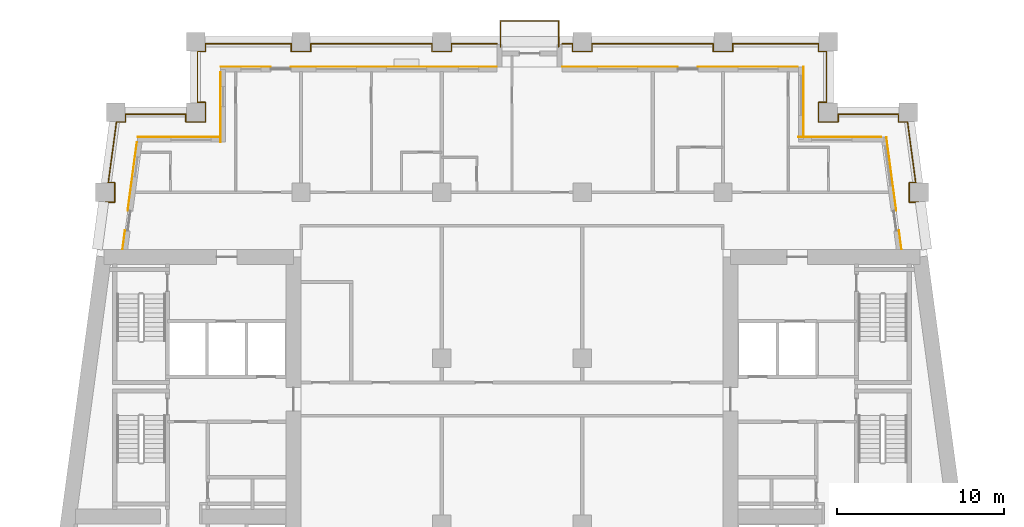
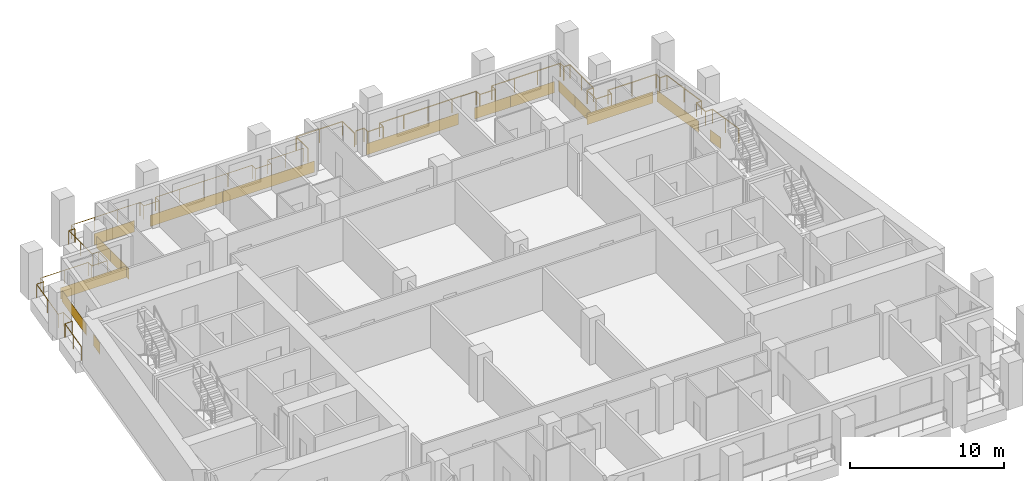
# One storey, part 11 of 12: 16 coverings, 3 railings.
"""IFC4 building model written with IfcOpenShell, lengths in metres."""

from ifc_helpers import new_model, si_unit, direction, frame, origin, origin_2d, place, context, subcontext, project, spatial, rectangle, circle, extrude, material, layer, layer_set, type_object, element, save


model = new_model("IFC4")

# Units and contexts
model_context = context("Model", 3, precision=1e-05, world=origin(), true_north=direction((0.0, 1.0)))
body_context = subcontext(model_context, "Body", "Model", "MODEL_VIEW")
ifc_project = project(units=[si_unit("LENGTHUNIT", "METRE"), si_unit("AREAUNIT", "SQUARE_METRE"), si_unit("VOLUMEUNIT", "CUBIC_METRE"), si_unit("PLANEANGLEUNIT", "RADIAN"), si_unit("MASSUNIT", "GRAM", prefix="KILO")], contexts=[model_context])

# Site, building, storey
site_placement = place(None, origin())
site = spatial("IfcSite", under=ifc_project, at=site_placement, CompositionType="ELEMENT")
building_placement = place(site_placement, origin())
building = spatial("IfcBuilding", under=site, at=building_placement, Name="Candeia Pilgrim Tower and Theatre", CompositionType="ELEMENT")
storey_placement = place(building_placement, frame((0.0, 0.0, 166.300048828125)))
storey = spatial("IfcBuildingStorey", under=building, at=storey_placement, Name="L39", CompositionType="ELEMENT", Elevation=166.300048828125)

# Railings
ifc_material_1 = material(Name="Stainless steel balustrade", Category="steel")
railing_type = type_object("IfcRailingType", Name="G1 loggia guard 1100", PredefinedType="GUARDRAIL", material=ifc_material_1)
railing_1_placement = place(storey_placement, frame((88.758544921875, 132.449951171875, 0.0)))
element("IfcRailing", 1, at=railing_1_placement, inside=storey, type_object=railing_type, Name="Guard L39.2", PredefinedType="GUARDRAIL", context=body_context, shape_type="SweptSolid", body=[
    extrude(circle(Radius=0.02392578125, at=origin_2d()), frame((0.0, 0.0, 1.076171875), z_axis=(0.133382313969, 0.991064659001, 0.0), x_axis=(-0.991064659001, 0.133382313969, 0.0)), (0.0, 0.0, 1.0), 2.794921875),
    extrude(circle(Radius=0.02392578125, at=origin_2d()), frame((0.372802734375, 2.77001953125, 1.076171875), z_axis=(1.0, 0.0, 0.0), x_axis=(0.0, 1.0, 0.0)), (0.0, 0.0, 1.0), 0.537109375),
    extrude(circle(Radius=0.02392578125, at=origin_2d()), frame((0.909912109375, 2.77001953125, 1.076171875), z_axis=(0.0, 1.0, 0.0), x_axis=(-1.0, 0.0, 0.0)), (0.0, 0.0, 1.0), 1.159912109375),
    extrude(circle(Radius=0.02392578125, at=origin_2d()), frame((0.909912109375, 3.929931640625, 1.076171875), z_axis=(-1.0, 0.0, 0.0), x_axis=(0.0, -1.0, 0.0)), (0.0, 0.0, 1.0), 0.380859375),
    extrude(circle(Radius=0.02392578125, at=origin_2d()), frame((0.529052734375, 3.929931640625, 1.076171875), z_axis=(0.133404479078, 0.99106167566, 0.0), x_axis=(-0.99106167566, 0.133404479078, 0.0)), (0.0, 0.0, 1.0), 3.6728515625),
    extrude(circle(Radius=0.02392578125, at=origin_2d()), frame((1.01904296875, 7.570068359375, 1.076171875), z_axis=(1.0, 0.0, 0.0), x_axis=(0.0, 1.0, 0.0)), (0.0, 0.0, 1.0), 0.537109375),
    extrude(circle(Radius=0.02392578125, at=origin_2d()), frame((1.55615234375, 7.570068359375, 1.076171875), z_axis=(0.0, 1.0, 0.0), x_axis=(-1.0, 0.0, 0.0)), (0.0, 0.0, 1.0), 0.4599609375),
    extrude(circle(Radius=0.02392578125, at=origin_2d()), frame((1.55615234375, 8.030029296875, 1.076171875), z_axis=(1.0, 0.0, 0.0), x_axis=(0.0, 1.0, 0.0)), (0.0, 0.0, 1.0), 3.605224609375),
    extrude(circle(Radius=0.02392578125, at=origin_2d()), frame((5.161376953125, 8.030029296875, 1.076171875), z_axis=(0.0, -1.0, 0.0), x_axis=(1.0, 0.0, 0.0)), (0.0, 0.0, 1.0), 0.4599609375),
    extrude(circle(Radius=0.02392578125, at=origin_2d()), frame((5.161376953125, 7.570068359375, 1.076171875), z_axis=(1.0, 0.0, 0.0), x_axis=(0.0, 1.0, 0.0)), (0.0, 0.0, 1.0), 1.16015625),
    extrude(circle(Radius=0.02392578125, at=origin_2d()), frame((6.321533203125, 7.570068359375, 1.076171875), z_axis=(0.0, 1.0, 0.0), x_axis=(-1.0, 0.0, 0.0)), (0.0, 0.0, 1.0), 1.159912109375),
    extrude(circle(Radius=0.02392578125, at=origin_2d()), frame((6.321533203125, 8.72998046875, 1.076171875), z_axis=(-1.0, 0.0, 0.0), x_axis=(0.0, -1.0, 0.0)), (0.0, 0.0, 1.0), 0.4599609375),
    extrude(circle(Radius=0.02392578125, at=origin_2d()), frame((5.861572265625, 8.72998046875, 1.076171875), z_axis=(0.0, 1.0, 0.0), x_axis=(-1.0, 0.0, 0.0)), (0.0, 0.0, 1.0), 3.0400390625),
    extrude(circle(Radius=0.02392578125, at=origin_2d()), frame((5.861572265625, 11.77001953125, 1.076171875), z_axis=(1.0, 0.0, 0.0), x_axis=(0.0, 1.0, 0.0)), (0.0, 0.0, 1.0), 0.4599609375),
    extrude(circle(Radius=0.02392578125, at=origin_2d()), frame((6.321533203125, 11.77001953125, 1.076171875), z_axis=(0.0, 1.0, 0.0), x_axis=(-1.0, 0.0, 0.0)), (0.0, 0.0, 1.0), 0.4599609375),
    extrude(circle(Radius=0.02392578125, at=origin_2d()), frame((6.321533203125, 12.22998046875, 1.076171875), z_axis=(1.0, 0.0, 0.0), x_axis=(0.0, 1.0, 0.0)), (0.0, 0.0, 1.0), 5.139892578125),
    extrude(circle(Radius=0.02392578125, at=origin_2d()), frame((11.46142578125, 12.22998046875, 1.076171875), z_axis=(0.0, -1.0, 0.0), x_axis=(1.0, 0.0, 0.0)), (0.0, 0.0, 1.0), 0.4599609375),
    extrude(circle(Radius=0.02392578125, at=origin_2d()), frame((11.46142578125, 11.77001953125, 1.076171875), z_axis=(1.0, 0.0, 0.0), x_axis=(0.0, 1.0, 0.0)), (0.0, 0.0, 1.0), 1.159912109375),
    extrude(circle(Radius=0.02392578125, at=origin_2d()), frame((12.621337890625, 11.77001953125, 1.076171875), z_axis=(0.0, 1.0, 0.0), x_axis=(-1.0, 0.0, 0.0)), (0.0, 0.0, 1.0), 0.4599609375),
    extrude(circle(Radius=0.02392578125, at=origin_2d()), frame((12.621337890625, 12.22998046875, 1.076171875), z_axis=(1.0, 0.0, 0.0), x_axis=(0.0, 1.0, 0.0)), (0.0, 0.0, 1.0), 7.240234375),
    extrude(circle(Radius=0.02392578125, at=origin_2d()), frame((19.861572265625, 12.22998046875, 1.076171875), z_axis=(0.0, -1.0, 0.0), x_axis=(1.0, 0.0, 0.0)), (0.0, 0.0, 1.0), 0.4599609375),
    extrude(circle(Radius=0.02392578125, at=origin_2d()), frame((19.861572265625, 11.77001953125, 1.076171875), z_axis=(1.0, 0.0, 0.0), x_axis=(0.0, 1.0, 0.0)), (0.0, 0.0, 1.0), 1.159912109375),
    extrude(circle(Radius=0.02392578125, at=origin_2d()), frame((21.021484375, 11.77001953125, 1.076171875), z_axis=(0.0, 1.0, 0.0), x_axis=(-1.0, 0.0, 0.0)), (0.0, 0.0, 1.0), 0.4599609375),
    extrude(circle(Radius=0.02392578125, at=origin_2d()), frame((21.021484375, 12.22998046875, 1.076171875), z_axis=(1.0, 0.0, 0.0), x_axis=(0.0, 1.0, 0.0)), (0.0, 0.0, 1.0), 2.719970703125),
    extrude(circle(Radius=0.02099609375, at=origin_2d()), origin(), (0.0, 0.0, 1.0), 1.052001953125),
    extrude(circle(Radius=0.02099609375, at=origin_2d()), frame((0.1865234375, 1.385009765625, 0.0)), (0.0, 0.0, 1.0), 1.052001953125),
    extrude(circle(Radius=0.02099609375, at=origin_2d()), frame((0.372802734375, 2.77001953125, 0.0)), (0.0, 0.0, 1.0), 1.052001953125),
    extrude(circle(Radius=0.02099609375, at=origin_2d()), frame((0.909912109375, 2.77001953125, 0.0)), (0.0, 0.0, 1.0), 1.052001953125),
    extrude(circle(Radius=0.02099609375, at=origin_2d()), frame((0.909912109375, 3.929931640625, 0.0)), (0.0, 0.0, 1.0), 1.052001953125),
    extrude(circle(Radius=0.02099609375, at=origin_2d()), frame((0.529052734375, 3.929931640625, 0.0)), (0.0, 0.0, 1.0), 1.052001953125),
    extrude(circle(Radius=0.02099609375, at=origin_2d()), frame((0.77392578125, 5.75, 0.0)), (0.0, 0.0, 1.0), 1.052001953125),
    extrude(circle(Radius=0.02099609375, at=origin_2d()), frame((1.01904296875, 7.570068359375, 0.0)), (0.0, 0.0, 1.0), 1.052001953125),
    extrude(circle(Radius=0.02099609375, at=origin_2d()), frame((1.55615234375, 7.570068359375, 0.0)), (0.0, 0.0, 1.0), 1.052001953125),
    extrude(circle(Radius=0.02099609375, at=origin_2d()), frame((1.55615234375, 8.030029296875, 0.0)), (0.0, 0.0, 1.0), 1.052001953125),
    extrude(circle(Radius=0.02099609375, at=origin_2d()), frame((3.35888671875, 8.030029296875, 0.0)), (0.0, 0.0, 1.0), 1.052001953125),
    extrude(circle(Radius=0.02099609375, at=origin_2d()), frame((5.161376953125, 8.030029296875, 0.0)), (0.0, 0.0, 1.0), 1.052001953125),
    extrude(circle(Radius=0.02099609375, at=origin_2d()), frame((5.161376953125, 7.570068359375, 0.0)), (0.0, 0.0, 1.0), 1.052001953125),
    extrude(circle(Radius=0.02099609375, at=origin_2d()), frame((6.321533203125, 7.570068359375, 0.0)), (0.0, 0.0, 1.0), 1.052001953125),
    extrude(circle(Radius=0.02099609375, at=origin_2d()), frame((6.321533203125, 8.72998046875, 0.0)), (0.0, 0.0, 1.0), 1.052001953125),
    extrude(circle(Radius=0.02099609375, at=origin_2d()), frame((5.861572265625, 8.72998046875, 0.0)), (0.0, 0.0, 1.0), 1.052001953125),
    extrude(circle(Radius=0.02099609375, at=origin_2d()), frame((5.861572265625, 10.25, 0.0)), (0.0, 0.0, 1.0), 1.052001953125),
    extrude(circle(Radius=0.02099609375, at=origin_2d()), frame((5.861572265625, 11.77001953125, 0.0)), (0.0, 0.0, 1.0), 1.052001953125),
    extrude(circle(Radius=0.02099609375, at=origin_2d()), frame((6.321533203125, 11.77001953125, 0.0)), (0.0, 0.0, 1.0), 1.052001953125),
    extrude(circle(Radius=0.02099609375, at=origin_2d()), frame((6.321533203125, 12.22998046875, 0.0)), (0.0, 0.0, 1.0), 1.052001953125),
    extrude(circle(Radius=0.02099609375, at=origin_2d()), frame((8.034912109375, 12.22998046875, 0.0)), (0.0, 0.0, 1.0), 1.052001953125),
    extrude(circle(Radius=0.02099609375, at=origin_2d()), frame((9.748046875, 12.22998046875, 0.0)), (0.0, 0.0, 1.0), 1.052001953125),
    extrude(circle(Radius=0.02099609375, at=origin_2d()), frame((11.46142578125, 12.22998046875, 0.0)), (0.0, 0.0, 1.0), 1.052001953125),
    extrude(circle(Radius=0.02099609375, at=origin_2d()), frame((11.46142578125, 11.77001953125, 0.0)), (0.0, 0.0, 1.0), 1.052001953125),
    extrude(circle(Radius=0.02099609375, at=origin_2d()), frame((12.621337890625, 11.77001953125, 0.0)), (0.0, 0.0, 1.0), 1.052001953125),
    extrude(circle(Radius=0.02099609375, at=origin_2d()), frame((12.621337890625, 12.22998046875, 0.0)), (0.0, 0.0, 1.0), 1.052001953125),
    extrude(circle(Radius=0.02099609375, at=origin_2d()), frame((14.431396484375, 12.22998046875, 0.0)), (0.0, 0.0, 1.0), 1.052001953125),
    extrude(circle(Radius=0.02099609375, at=origin_2d()), frame((16.241455078125, 12.22998046875, 0.0)), (0.0, 0.0, 1.0), 1.052001953125),
    extrude(circle(Radius=0.02099609375, at=origin_2d()), frame((18.051513671875, 12.22998046875, 0.0)), (0.0, 0.0, 1.0), 1.052001953125),
    extrude(circle(Radius=0.02099609375, at=origin_2d()), frame((19.861572265625, 12.22998046875, 0.0)), (0.0, 0.0, 1.0), 1.052001953125),
    extrude(circle(Radius=0.02099609375, at=origin_2d()), frame((19.861572265625, 11.77001953125, 0.0)), (0.0, 0.0, 1.0), 1.052001953125),
    extrude(circle(Radius=0.02099609375, at=origin_2d()), frame((21.021484375, 11.77001953125, 0.0)), (0.0, 0.0, 1.0), 1.052001953125),
    extrude(circle(Radius=0.02099609375, at=origin_2d()), frame((21.021484375, 12.22998046875, 0.0)), (0.0, 0.0, 1.0), 1.052001953125),
    extrude(circle(Radius=0.02099609375, at=origin_2d()), frame((22.38134765625, 12.22998046875, 0.0)), (0.0, 0.0, 1.0), 1.052001953125),
    extrude(circle(Radius=0.02099609375, at=origin_2d()), frame((23.741455078125, 12.22998046875, 0.0)), (0.0, 0.0, 1.0), 1.052001953125),
])
railing_2_placement = place(storey_placement, frame((116.39990234375, 144.679931640625, 0.0)))
element("IfcRailing", 2, at=railing_2_placement, inside=storey, type_object=railing_type, Name="Guard L39.3", PredefinedType="GUARDRAIL", context=body_context, shape_type="SweptSolid", body=[
    extrude(circle(Radius=0.02392578125, at=origin_2d()), frame((0.0, 0.0, 1.076171875), z_axis=(1.0, 0.0, 0.0), x_axis=(0.0, 1.0, 0.0)), (0.0, 0.0, 1.0), 0.6201171875),
    extrude(circle(Radius=0.02392578125, at=origin_2d()), frame((0.6201171875, 0.0, 1.076171875), z_axis=(0.0, -1.0, 0.0), x_axis=(1.0, 0.0, 0.0)), (0.0, 0.0, 1.0), 0.4599609375),
    extrude(circle(Radius=0.02392578125, at=origin_2d()), frame((0.6201171875, -0.4599609375, 1.076171875), z_axis=(1.0, 0.0, 0.0), x_axis=(0.0, 1.0, 0.0)), (0.0, 0.0, 1.0), 1.159912109375),
    extrude(circle(Radius=0.02392578125, at=origin_2d()), frame((1.780029296875, -0.4599609375, 1.076171875), z_axis=(0.0, 1.0, 0.0), x_axis=(-1.0, 0.0, 0.0)), (0.0, 0.0, 1.0), 0.4599609375),
    extrude(circle(Radius=0.02392578125, at=origin_2d()), frame((1.780029296875, 0.0, 1.076171875), z_axis=(1.0, 0.0, 0.0), x_axis=(0.0, 1.0, 0.0)), (0.0, 0.0, 1.0), 7.239990234375),
    extrude(circle(Radius=0.02392578125, at=origin_2d()), frame((9.02001953125, 0.0, 1.076171875), z_axis=(0.0, -1.0, 0.0), x_axis=(1.0, 0.0, 0.0)), (0.0, 0.0, 1.0), 0.4599609375),
    extrude(circle(Radius=0.02392578125, at=origin_2d()), frame((9.02001953125, -0.4599609375, 1.076171875), z_axis=(1.0, 0.0, 0.0), x_axis=(0.0, 1.0, 0.0)), (0.0, 0.0, 1.0), 1.16015625),
    extrude(circle(Radius=0.02392578125, at=origin_2d()), frame((10.18017578125, -0.4599609375, 1.076171875), z_axis=(0.0, 1.0, 0.0), x_axis=(-1.0, 0.0, 0.0)), (0.0, 0.0, 1.0), 0.4599609375),
    extrude(circle(Radius=0.02392578125, at=origin_2d()), frame((10.18017578125, 0.0, 1.076171875), z_axis=(1.0, 0.0, 0.0), x_axis=(0.0, 1.0, 0.0)), (0.0, 0.0, 1.0), 5.139892578125),
    extrude(circle(Radius=0.02392578125, at=origin_2d()), frame((15.320068359375, 0.0, 1.076171875), z_axis=(0.0, -1.0, 0.0), x_axis=(1.0, 0.0, 0.0)), (0.0, 0.0, 1.0), 0.4599609375),
    extrude(circle(Radius=0.02392578125, at=origin_2d()), frame((15.320068359375, -0.4599609375, 1.076171875), z_axis=(1.0, 0.0, 0.0), x_axis=(0.0, 1.0, 0.0)), (0.0, 0.0, 1.0), 0.4599609375),
    extrude(circle(Radius=0.02392578125, at=origin_2d()), frame((15.780029296875, -0.4599609375, 1.076171875), z_axis=(0.0, -1.0, 0.0), x_axis=(1.0, 0.0, 0.0)), (0.0, 0.0, 1.0), 3.0400390625),
    extrude(circle(Radius=0.02392578125, at=origin_2d()), frame((15.780029296875, -3.5, 1.076171875), z_axis=(-1.0, 0.0, 0.0), x_axis=(0.0, -1.0, 0.0)), (0.0, 0.0, 1.0), 0.4599609375),
    extrude(circle(Radius=0.02392578125, at=origin_2d()), frame((15.320068359375, -3.5, 1.076171875), z_axis=(0.0, -1.0, 0.0), x_axis=(1.0, 0.0, 0.0)), (0.0, 0.0, 1.0), 1.159912109375),
    extrude(circle(Radius=0.02392578125, at=origin_2d()), frame((15.320068359375, -4.659912109375, 1.076171875), z_axis=(1.0, 0.0, 0.0), x_axis=(0.0, 1.0, 0.0)), (0.0, 0.0, 1.0), 1.159912109375),
    extrude(circle(Radius=0.02392578125, at=origin_2d()), frame((16.47998046875, -4.659912109375, 1.076171875), z_axis=(0.0, 1.0, 0.0), x_axis=(-1.0, 0.0, 0.0)), (0.0, 0.0, 1.0), 0.4599609375),
    extrude(circle(Radius=0.02392578125, at=origin_2d()), frame((16.47998046875, -4.199951171875, 1.076171875), z_axis=(1.0, 0.0, 0.0), x_axis=(0.0, 1.0, 0.0)), (0.0, 0.0, 1.0), 3.60546875),
    extrude(circle(Radius=0.02392578125, at=origin_2d()), frame((20.08544921875, -4.199951171875, 1.076171875), z_axis=(0.0, -1.0, 0.0), x_axis=(1.0, 0.0, 0.0)), (0.0, 0.0, 1.0), 0.4599609375),
    extrude(circle(Radius=0.02392578125, at=origin_2d()), frame((20.08544921875, -4.659912109375, 1.076171875), z_axis=(1.0, 0.0, 0.0), x_axis=(0.0, 1.0, 0.0)), (0.0, 0.0, 1.0), 0.537109375),
    extrude(circle(Radius=0.02392578125, at=origin_2d()), frame((20.62255859375, -4.659912109375, 1.076171875), z_axis=(0.133404479078, -0.99106167566, 0.0), x_axis=(0.99106167566, 0.133404479078, 0.0)), (0.0, 0.0, 1.0), 3.6728515625),
    extrude(circle(Radius=0.02392578125, at=origin_2d()), frame((21.112548828125, -8.300048828125, 1.076171875), z_axis=(-1.0, 0.0, 0.0), x_axis=(0.0, -1.0, 0.0)), (0.0, 0.0, 1.0), 0.380859375),
    extrude(circle(Radius=0.02392578125, at=origin_2d()), frame((20.731689453125, -8.300048828125, 1.076171875), z_axis=(0.0, -1.0, 0.0), x_axis=(1.0, 0.0, 0.0)), (0.0, 0.0, 1.0), 1.159912109375),
    extrude(circle(Radius=0.02392578125, at=origin_2d()), frame((20.731689453125, -9.4599609375, 1.076171875), z_axis=(1.0, 0.0, 0.0), x_axis=(0.0, 1.0, 0.0)), (0.0, 0.0, 1.0), 0.536865234375),
    extrude(circle(Radius=0.02392578125, at=origin_2d()), frame((21.2685546875, -9.4599609375, 1.076171875), z_axis=(0.133468107709, -0.99105310868, 0.0), x_axis=(0.99105310868, 0.133468107709, 0.0)), (0.0, 0.0, 1.0), 2.794921875),
    extrude(circle(Radius=0.02099609375, at=origin_2d()), origin(), (0.0, 0.0, 1.0), 1.052001953125),
    extrude(circle(Radius=0.02099609375, at=origin_2d()), frame((0.6201171875, 0.0, 0.0)), (0.0, 0.0, 1.0), 1.052001953125),
    extrude(circle(Radius=0.02099609375, at=origin_2d()), frame((0.6201171875, -0.4599609375, 0.0)), (0.0, 0.0, 1.0), 1.052001953125),
    extrude(circle(Radius=0.02099609375, at=origin_2d()), frame((1.780029296875, -0.4599609375, 0.0)), (0.0, 0.0, 1.0), 1.052001953125),
    extrude(circle(Radius=0.02099609375, at=origin_2d()), frame((1.780029296875, 0.0, 0.0)), (0.0, 0.0, 1.0), 1.052001953125),
    extrude(circle(Radius=0.02099609375, at=origin_2d()), frame((3.590087890625, 0.0, 0.0)), (0.0, 0.0, 1.0), 1.052001953125),
    extrude(circle(Radius=0.02099609375, at=origin_2d()), frame((5.39990234375, 0.0, 0.0)), (0.0, 0.0, 1.0), 1.052001953125),
    extrude(circle(Radius=0.02099609375, at=origin_2d()), frame((7.2099609375, 0.0, 0.0)), (0.0, 0.0, 1.0), 1.052001953125),
    extrude(circle(Radius=0.02099609375, at=origin_2d()), frame((9.02001953125, 0.0, 0.0)), (0.0, 0.0, 1.0), 1.052001953125),
    extrude(circle(Radius=0.02099609375, at=origin_2d()), frame((9.02001953125, -0.4599609375, 0.0)), (0.0, 0.0, 1.0), 1.052001953125),
    extrude(circle(Radius=0.02099609375, at=origin_2d()), frame((10.18017578125, -0.4599609375, 0.0)), (0.0, 0.0, 1.0), 1.052001953125),
    extrude(circle(Radius=0.02099609375, at=origin_2d()), frame((10.18017578125, 0.0, 0.0)), (0.0, 0.0, 1.0), 1.052001953125),
    extrude(circle(Radius=0.02099609375, at=origin_2d()), frame((11.8935546875, 0.0, 0.0)), (0.0, 0.0, 1.0), 1.052001953125),
    extrude(circle(Radius=0.02099609375, at=origin_2d()), frame((13.606689453125, 0.0, 0.0)), (0.0, 0.0, 1.0), 1.052001953125),
    extrude(circle(Radius=0.02099609375, at=origin_2d()), frame((15.320068359375, 0.0, 0.0)), (0.0, 0.0, 1.0), 1.052001953125),
    extrude(circle(Radius=0.02099609375, at=origin_2d()), frame((15.320068359375, -0.4599609375, 0.0)), (0.0, 0.0, 1.0), 1.052001953125),
    extrude(circle(Radius=0.02099609375, at=origin_2d()), frame((15.780029296875, -0.4599609375, 0.0)), (0.0, 0.0, 1.0), 1.052001953125),
    extrude(circle(Radius=0.02099609375, at=origin_2d()), frame((15.780029296875, -1.97998046875, 0.0)), (0.0, 0.0, 1.0), 1.052001953125),
    extrude(circle(Radius=0.02099609375, at=origin_2d()), frame((15.780029296875, -3.5, 0.0)), (0.0, 0.0, 1.0), 1.052001953125),
    extrude(circle(Radius=0.02099609375, at=origin_2d()), frame((15.320068359375, -3.5, 0.0)), (0.0, 0.0, 1.0), 1.052001953125),
    extrude(circle(Radius=0.02099609375, at=origin_2d()), frame((15.320068359375, -4.659912109375, 0.0)), (0.0, 0.0, 1.0), 1.052001953125),
    extrude(circle(Radius=0.02099609375, at=origin_2d()), frame((16.47998046875, -4.659912109375, 0.0)), (0.0, 0.0, 1.0), 1.052001953125),
    extrude(circle(Radius=0.02099609375, at=origin_2d()), frame((16.47998046875, -4.199951171875, 0.0)), (0.0, 0.0, 1.0), 1.052001953125),
    extrude(circle(Radius=0.02099609375, at=origin_2d()), frame((18.28271484375, -4.199951171875, 0.0)), (0.0, 0.0, 1.0), 1.052001953125),
    extrude(circle(Radius=0.02099609375, at=origin_2d()), frame((20.08544921875, -4.199951171875, 0.0)), (0.0, 0.0, 1.0), 1.052001953125),
    extrude(circle(Radius=0.02099609375, at=origin_2d()), frame((20.08544921875, -4.659912109375, 0.0)), (0.0, 0.0, 1.0), 1.052001953125),
    extrude(circle(Radius=0.02099609375, at=origin_2d()), frame((20.62255859375, -4.659912109375, 0.0)), (0.0, 0.0, 1.0), 1.052001953125),
    extrude(circle(Radius=0.02099609375, at=origin_2d()), frame((20.86767578125, -6.47998046875, 0.0)), (0.0, 0.0, 1.0), 1.052001953125),
    extrude(circle(Radius=0.02099609375, at=origin_2d()), frame((21.112548828125, -8.300048828125, 0.0)), (0.0, 0.0, 1.0), 1.052001953125),
    extrude(circle(Radius=0.02099609375, at=origin_2d()), frame((20.731689453125, -8.300048828125, 0.0)), (0.0, 0.0, 1.0), 1.052001953125),
    extrude(circle(Radius=0.02099609375, at=origin_2d()), frame((20.731689453125, -9.4599609375, 0.0)), (0.0, 0.0, 1.0), 1.052001953125),
    extrude(circle(Radius=0.02099609375, at=origin_2d()), frame((21.2685546875, -9.4599609375, 0.0)), (0.0, 0.0, 1.0), 1.052001953125),
    extrude(circle(Radius=0.02099609375, at=origin_2d()), frame((21.455078125, -10.844970703125, 0.0)), (0.0, 0.0, 1.0), 1.052001953125),
    extrude(circle(Radius=0.02099609375, at=origin_2d()), frame((21.6416015625, -12.22998046875, 0.0)), (0.0, 0.0, 1.0), 1.052001953125),
])
railing_3_placement = place(storey_placement, frame((112.7099609375, 144.5, 0.0)))
element("IfcRailing", 3, at=railing_3_placement, inside=storey, type_object=railing_type, Name="Balcony guard L39", PredefinedType="GUARDRAIL", context=body_context, shape_type="SweptSolid", body=[
    extrude(circle(Radius=0.02392578125, at=origin_2d()), frame((0.0, 0.0, 1.076171875), z_axis=(0.0, 1.0, 0.0), x_axis=(-1.0, 0.0, 0.0)), (0.0, 0.0, 1.0), 1.5400390625),
    extrude(circle(Radius=0.02392578125, at=origin_2d()), frame((0.0, 1.5400390625, 1.076171875), z_axis=(1.0, 0.0, 0.0), x_axis=(0.0, 1.0, 0.0)), (0.0, 0.0, 1.0), 3.47998046875),
    extrude(circle(Radius=0.02392578125, at=origin_2d()), frame((3.47998046875, 1.5400390625, 1.076171875), z_axis=(0.0, -1.0, 0.0), x_axis=(1.0, 0.0, 0.0)), (0.0, 0.0, 1.0), 1.5400390625),
    extrude(circle(Radius=0.02099609375, at=origin_2d()), origin(), (0.0, 0.0, 1.0), 1.052001953125),
    extrude(circle(Radius=0.02099609375, at=origin_2d()), frame((0.0, 1.5400390625, 0.0)), (0.0, 0.0, 1.0), 1.052001953125),
    extrude(circle(Radius=0.02099609375, at=origin_2d()), frame((1.739990234375, 1.5400390625, 0.0)), (0.0, 0.0, 1.0), 1.052001953125),
    extrude(circle(Radius=0.02099609375, at=origin_2d()), frame((3.47998046875, 1.5400390625, 0.0)), (0.0, 0.0, 1.0), 1.052001953125),
    extrude(circle(Radius=0.02099609375, at=origin_2d()), frame((3.47998046875, 0.0, 0.0)), (0.0, 0.0, 1.0), 1.052001953125),
])

# Coverings
ifc_material_2 = material(Name="Glazed ceramic tile red")
ifc_layer_1 = layer(ifc_material_2, 0.02001953125)
ifc_layer_set_1 = layer_set([ifc_layer_1], Name="Glazed ceramic tile red")
covering_type_1 = type_object("IfcCoveringType", Name="Glazed ceramic tile red", PredefinedType="CLADDING", material=ifc_layer_set_1)
covering_1_placement = place(storey_placement, frame((136.588623046875, 132.97412109375, 0.0), z_axis=(0.0, 0.0, 1.0), x_axis=(-0.133412012145, 0.991060661622, 0.0)))
element("IfcCovering", 4, at=covering_1_placement, inside=storey, type_object=covering_type_1, Name="Tile cladding red L39", PredefinedType="CLADDING", context=body_context, shape_type="SweptSolid", body=[
    extrude(rectangle(XDim=1.115234375, YDim=0.02001953125, at=origin_2d()), origin(), (0.0, 0.0, 1.0), 0.89990234375),
])
covering_2_placement = place(storey_placement, frame((136.058837890625, 136.90869140625, 0.0), z_axis=(0.0, 0.0, 1.0), x_axis=(-0.133412012145, 0.991060661622, 0.0)))
element("IfcCovering", 5, at=covering_2_placement, inside=storey, type_object=covering_type_1, Name="Tile cladding red L39", PredefinedType="CLADDING", context=body_context, shape_type="SweptSolid", body=[
    extrude(rectangle(XDim=4.4248046875, YDim=0.02001953125, at=origin_2d()), origin(), (0.0, 0.0, 1.0), 0.89990234375),
])
covering_3_placement = place(storey_placement, frame((130.81005859375, 140.159912109375, 0.0), z_axis=(0.0, 0.0, 1.0), x_axis=(0.0, 1.0, 0.0)))
element("IfcCovering", 6, at=covering_3_placement, inside=storey, type_object=covering_type_1, Name="Tile cladding red L39", PredefinedType="CLADDING", context=body_context, shape_type="SweptSolid", body=[
    extrude(rectangle(XDim=2.080078125, YDim=0.02001953125, at=origin_2d()), origin(), (0.0, 0.0, 1.0), 0.89990234375),
])
covering_4_placement = place(storey_placement, frame((125.85009765625, 143.31005859375, 0.0), z_axis=(0.0, 0.0, 1.0), x_axis=(-1.0, 0.0, 0.0)))
element("IfcCovering", 7, at=covering_4_placement, inside=storey, type_object=covering_type_1, Name="Tile cladding red L39", PredefinedType="CLADDING", context=body_context, shape_type="SweptSolid", body=[
    extrude(rectangle(XDim=2.699951171875, YDim=0.02001953125, at=origin_2d()), origin(), (0.0, 0.0, 1.0), 0.89990234375),
])
for number, where, z_axis, x_axis, name in (
    (8, (119.85009765625, 143.31005859375, 0.0), (0.0, 0.0, 1.0), (-1.0, 0.0, 0.0), "Tile cladding red L39"),
    (9, (109.050048828125, 143.31005859375, 0.0), (0.0, 0.0, 1.0), (-1.0, 0.0, 0.0), "Tile cladding red L39"),
):
    element("IfcCovering", number, at=place(storey_placement, frame(where, z_axis=z_axis, x_axis=x_axis)), inside=storey, type_object=covering_type_1, Name=name, PredefinedType="CLADDING", context=body_context, shape_type="SweptSolid", body=[
        extrude(rectangle(XDim=6.89990234375, YDim=0.02001953125, at=origin_2d()), origin(), (0.0, 0.0, 1.0), 0.89990234375),
    ])
covering_5_placement = place(storey_placement, frame((95.989990234375, 140.0, 0.0), z_axis=(0.0, 0.0, 1.0), x_axis=(0.0, -1.0, 0.0)))
element("IfcCovering", 10, at=covering_5_placement, inside=storey, type_object=covering_type_1, Name="Tile cladding red L39", PredefinedType="CLADDING", context=body_context, shape_type="SweptSolid", body=[
    extrude(rectangle(XDim=2.39990234375, YDim=0.02001953125, at=origin_2d()), origin(), (0.0, 0.0, 1.0), 0.89990234375),
])
covering_6_placement = place(storey_placement, frame((90.720947265625, 136.759521484375, 0.0), z_axis=(0.0, 0.0, 1.0), x_axis=(-0.133412012145, -0.991060661622, 0.0)))
element("IfcCovering", 11, at=covering_6_placement, inside=storey, type_object=covering_type_1, Name="Tile cladding red L39", PredefinedType="CLADDING", context=body_context, shape_type="SweptSolid", body=[
    extrude(rectangle(XDim=4.123779296875, YDim=0.02001953125, at=origin_2d()), origin(), (0.0, 0.0, 1.0), 0.89990234375),
])
covering_7_placement = place(storey_placement, frame((90.21142578125, 132.97412109375, 0.0), z_axis=(0.0, 0.0, 1.0), x_axis=(-0.133412012145, -0.991060661622, 0.0)))
element("IfcCovering", 12, at=covering_7_placement, inside=storey, type_object=covering_type_1, Name="Tile cladding red L39", PredefinedType="CLADDING", context=body_context, shape_type="SweptSolid", body=[
    extrude(rectangle(XDim=1.115234375, YDim=0.02001953125, at=origin_2d()), origin(), (0.0, 0.0, 1.0), 0.89990234375),
])
ifc_material_3 = material(Name="Glazed ceramic tile rust")
ifc_layer_2 = layer(ifc_material_3, 0.02001953125)
ifc_layer_set_2 = layer_set([ifc_layer_2], Name="Glazed ceramic tile rust")
covering_type_2 = type_object("IfcCoveringType", Name="Glazed ceramic tile rust", PredefinedType="CLADDING", material=ifc_layer_set_2)
covering_8_placement = place(storey_placement, frame((132.976318359375, 139.110107421875, 0.0), z_axis=(0.0, 0.0, 1.0), x_axis=(-1.0, 0.0, 0.0)))
element("IfcCovering", 13, at=covering_8_placement, inside=storey, type_object=covering_type_2, Name="Tile cladding rust L39", PredefinedType="CLADDING", context=body_context, shape_type="SweptSolid", body=[
    extrude(rectangle(XDim=4.95263671875, YDim=0.02001953125, at=origin_2d()), origin(), (0.0, 0.0, 1.0), 0.89990234375),
])
covering_9_placement = place(storey_placement, frame((130.81005859375, 142.25, 0.0), z_axis=(0.0, 0.0, 1.0), x_axis=(0.0, 1.0, 0.0)))
element("IfcCovering", 14, at=covering_9_placement, inside=storey, type_object=covering_type_2, Name="Tile cladding rust L39", PredefinedType="CLADDING", context=body_context, shape_type="SweptSolid", body=[
    extrude(rectangle(XDim=2.10009765625, YDim=0.02001953125, at=origin_2d()), origin(), (0.0, 0.0, 1.0), 0.89990234375),
])
covering_10_placement = place(storey_placement, frame((128.840087890625, 143.31005859375, 0.0), z_axis=(0.0, 0.0, 1.0), x_axis=(-1.0, 0.0, 0.0)))
element("IfcCovering", 15, at=covering_10_placement, inside=storey, type_object=covering_type_2, Name="Tile cladding rust L39", PredefinedType="CLADDING", context=body_context, shape_type="SweptSolid", body=[
    extrude(rectangle(XDim=3.280029296875, YDim=0.02001953125, at=origin_2d()), origin(), (0.0, 0.0, 1.0), 0.89990234375),
])
covering_11_placement = place(storey_placement, frame((102.89990234375, 143.31005859375, 0.0), z_axis=(0.0, 0.0, 1.0), x_axis=(-1.0, 0.0, 0.0)))
element("IfcCovering", 16, at=covering_11_placement, inside=storey, type_object=covering_type_2, Name="Tile cladding rust L39", PredefinedType="CLADDING", context=body_context, shape_type="SweptSolid", body=[
    extrude(rectangle(XDim=5.39990234375, YDim=0.02001953125, at=origin_2d()), origin(), (0.0, 0.0, 1.0), 0.89990234375),
])
covering_12_placement = place(storey_placement, frame((97.5, 143.31005859375, 0.0), z_axis=(0.0, 0.0, 1.0), x_axis=(-1.0, 0.0, 0.0)))
element("IfcCovering", 17, at=covering_12_placement, inside=storey, type_object=covering_type_2, Name="Tile cladding rust L39", PredefinedType="CLADDING", context=body_context, shape_type="SweptSolid", body=[
    extrude(rectangle(XDim=3.0, YDim=0.02001953125, at=origin_2d()), origin(), (0.0, 0.0, 1.0), 0.89990234375),
])
covering_13_placement = place(storey_placement, frame((95.989990234375, 142.090087890625, 0.0), z_axis=(0.0, 0.0, 1.0), x_axis=(0.0, -1.0, 0.0)))
element("IfcCovering", 18, at=covering_13_placement, inside=storey, type_object=covering_type_2, Name="Tile cladding rust L39", PredefinedType="CLADDING", context=body_context, shape_type="SweptSolid", body=[
    extrude(rectangle(XDim=1.780029296875, YDim=0.02001953125, at=origin_2d()), origin(), (0.0, 0.0, 1.0), 0.89990234375),
])
covering_14_placement = place(storey_placement, frame((93.51318359375, 139.110107421875, 0.0), z_axis=(0.0, 0.0, 1.0), x_axis=(-1.0, 0.0, 0.0)))
element("IfcCovering", 19, at=covering_14_placement, inside=storey, type_object=covering_type_2, Name="Tile cladding rust L39", PredefinedType="CLADDING", context=body_context, shape_type="SweptSolid", body=[
    extrude(rectangle(XDim=4.933837890625, YDim=0.02001953125, at=origin_2d()), origin(), (0.0, 0.0, 1.0), 0.89990234375),
])

save(model, "model.ifc")
